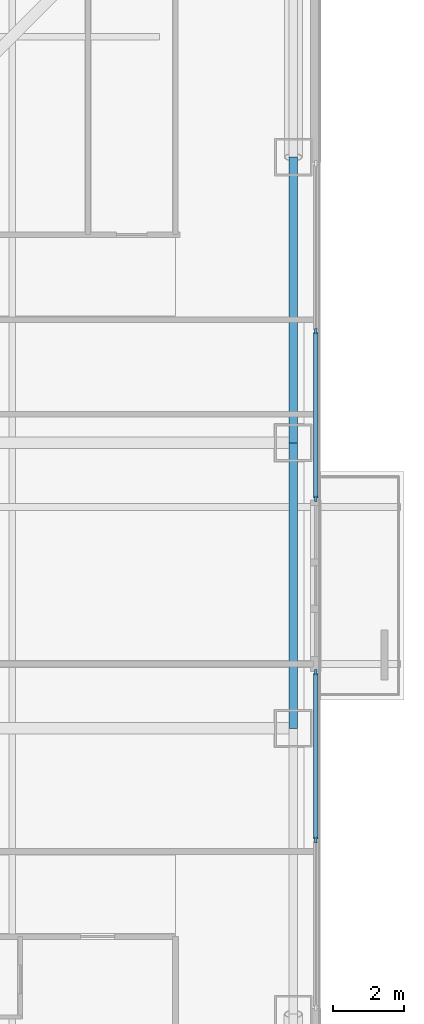
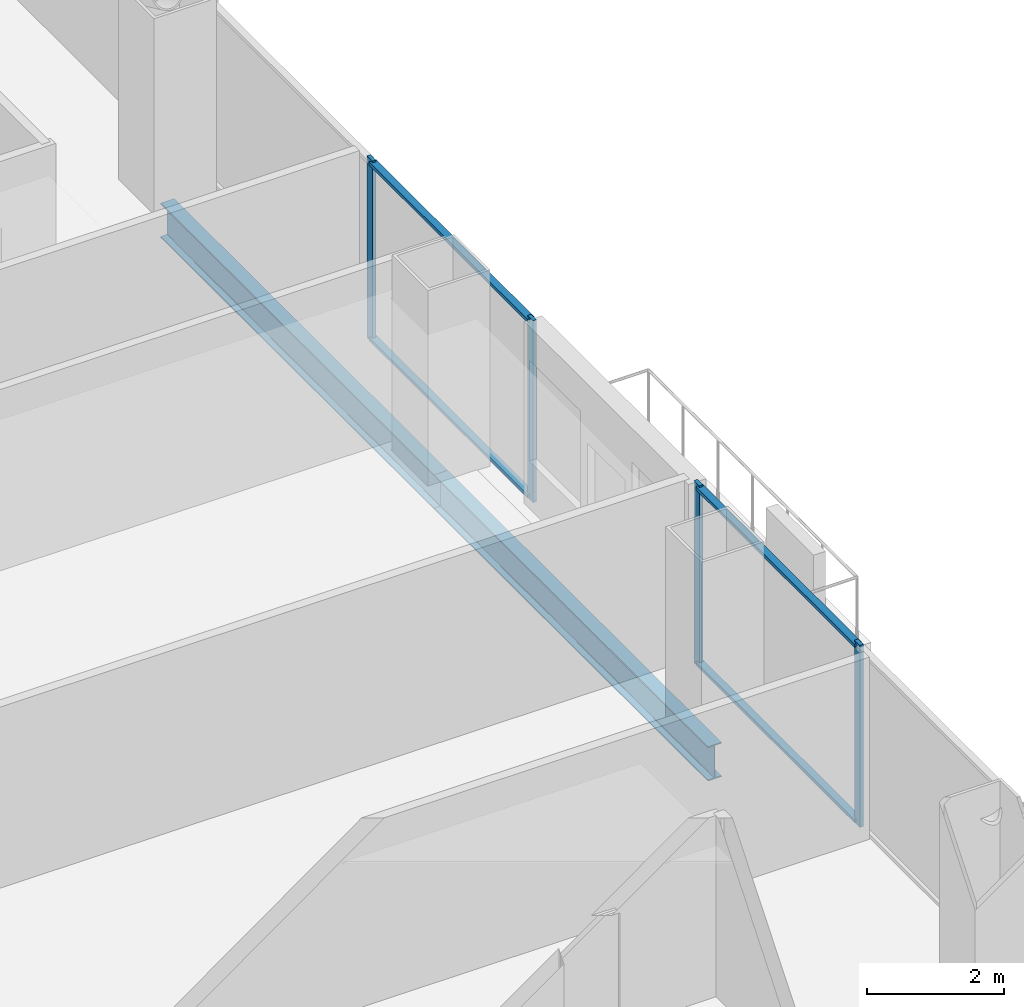
# One storey, part 10 of 20: 8 members, 2 beams, 2 elements without a shape of their own.
"""IFC4 building model written with IfcOpenShell, lengths in metres."""

import ifcopenshell
import ifcopenshell.guid

model = None  # the IFC model being written
_history = None  # IfcOwnerHistory: only IFC2X3 demands one
_inside = {}  # id of a spatial element -> (the spatial element, [elements in it])
_under = {}  # id of a project, library or spatial element -> (it, [spatial elements below it])
_declared = {}  # id of a project -> (the project, [libraries it declares])
_typed = {}  # id of a type object -> (the type object, [elements of that type])
_made_of = {}  # id of a material, layer set ... -> (it, [elements and type objects made of it])


def new_model(schema):
    """Start an empty IFC model of exactly this schema.

    Asked for "IFC4X3", IfcOpenShell would pick the latest addendum, in which some entities
    have other attributes; the version numbers below select the first issue.
    IFC2X3 requires an IfcOwnerHistory on every rooted entity: one is made here for all.
    """
    global model, _history
    if schema == "IFC4X3":
        model = ifcopenshell.file(schema_version=(4, 3, 0, 0))
    else:
        model = ifcopenshell.file(schema=schema)
    _inside.clear()
    _under.clear()
    _declared.clear()
    _typed.clear()
    _made_of.clear()
    _history = None
    if model.schema == "IFC2X3":
        org = make("IfcOrganization", Name="unknown")
        user = make(
            "IfcPersonAndOrganization",
            ThePerson=make("IfcPerson", FamilyName="unknown"),
            TheOrganization=org,
        )
        app = make(
            "IfcApplication",
            ApplicationDeveloper=org,
            Version="unknown",
            ApplicationFullName="unknown",
            ApplicationIdentifier="unknown",
        )
        _history = make(
            "IfcOwnerHistory",
            OwningUser=user,
            OwningApplication=app,
            ChangeAction="ADDED",
            CreationDate=0,
        )
    return model


def make(cls, **values):
    """One entity of the class cls with the attributes given. An attribute that is None is left unset."""
    return model.create_entity(
        cls, **{name: value for name, value in values.items() if value is not None}
    )


def rooted(cls, **values):
    """An entity with a GlobalId (a new one), such as an element, a storey or a relation."""
    return make(cls, GlobalId=ifcopenshell.guid.new(), OwnerHistory=_history, **values)


def si_unit(unit_type, name, prefix=None):
    """IfcSIUnit, for example si_unit("LENGTHUNIT", "METRE", prefix="MILLI")."""
    return make("IfcSIUnit", UnitType=unit_type, Prefix=prefix, Name=name)


def assignment(units):
    """IfcUnitAssignment: the units of a project."""
    return None if units is None else make("IfcUnitAssignment", Units=units)


def point(xyz):
    """IfcCartesianPoint."""
    return None if xyz is None else make("IfcCartesianPoint", Coordinates=xyz)


def direction(xyz):
    """IfcDirection."""
    return None if xyz is None else make("IfcDirection", DirectionRatios=xyz)


def frame(location, z_axis=None, x_axis=None):
    """IfcAxis2Placement3D, a coordinate frame: its origin and axes. An axis left out is left unset."""
    return make(
        "IfcAxis2Placement3D",
        Location=point(location),
        Axis=direction(z_axis),
        RefDirection=direction(x_axis),
    )


def frame_2d(location, x_axis=None):
    """IfcAxis2Placement2D, a coordinate frame in the plane: its origin and x axis."""
    return make(
        "IfcAxis2Placement2D", Location=point(location), RefDirection=direction(x_axis)
    )


def origin():
    """The frame at (0, 0, 0) with its axes left unset."""
    return frame((0.0, 0.0, 0.0))


def origin_2d():
    """The frame at (0, 0) in the plane with its x axis left unset."""
    return frame_2d((0.0, 0.0))


def place(relative_to, where):
    """IfcLocalPlacement: puts the frame where relative to a parent placement (None: the world)."""
    return make(
        "IfcLocalPlacement", PlacementRelTo=relative_to, RelativePlacement=where
    )


def context(
    kind, dimensions, precision=None, world=None, true_north=None, identifier=None
):
    """IfcGeometricRepresentationContext, for example the 3D "Model" context."""
    return make(
        "IfcGeometricRepresentationContext",
        ContextIdentifier=identifier,
        ContextType=kind,
        CoordinateSpaceDimension=dimensions,
        Precision=precision,
        WorldCoordinateSystem=world,
        TrueNorth=true_north,
    )


def subcontext(parent, identifier, kind, view, scale=None):
    """IfcGeometricRepresentationSubContext, for example "Body" below "Model"."""
    return make(
        "IfcGeometricRepresentationSubContext",
        ContextIdentifier=identifier,
        ContextType=kind,
        ParentContext=parent,
        TargetScale=scale,
        TargetView=view,
    )


def project(units=None, contexts=None):
    """IfcProject with its units and contexts."""
    return rooted(
        "IfcProject",
        Name="project",
        RepresentationContexts=contexts,
        UnitsInContext=assignment(units),
    )


def spatial(cls, under=None, at=None, **own):
    """A site, building, storey or space (cls), placed at a placement, below another one or the project."""
    s = rooted(cls, ObjectPlacement=at, **own)
    if under is not None:
        _under.setdefault(under.id(), (under, []))[1].append(s)
    return s


def profile(cls, at=None, kind="AREA", **sizes):
    """A parametric profile (cls). Its sizes go by their IFC names, for example OverallWidth=200.0."""
    return make(cls, ProfileType=kind, Position=at, **sizes)


def rectangle(**sizes):
    """IfcRectangleProfileDef."""
    return profile("IfcRectangleProfileDef", **sizes)


def i_section(**sizes):
    """IfcIShapeProfileDef."""
    return profile("IfcIShapeProfileDef", **sizes)


def extrude(swept, where, along, depth):
    """IfcExtrudedAreaSolid: the profile swept, set in the frame where, extruded along a direction by depth."""
    return make(
        "IfcExtrudedAreaSolid",
        SweptArea=swept,
        Position=where,
        ExtrudedDirection=direction(along),
        Depth=depth,
    )


def shape(context_of_items, identifier, shape_type, items):
    """IfcShapeRepresentation: the items that make up one representation, for example the "Body"."""
    return make(
        "IfcShapeRepresentation",
        ContextOfItems=context_of_items,
        RepresentationIdentifier=identifier,
        RepresentationType=shape_type,
        Items=items,
    )


def material(Name=None, Category=None):
    """IfcMaterial."""
    return make("IfcMaterial", Name=Name, Category=Category)


def layer(
    of_material, thickness, ventilated=None, Name=None, Category=None, Priority=None
):
    """IfcMaterialLayer: one layer of a wall or slab, of a material (None: an air gap)."""
    return make(
        "IfcMaterialLayer",
        Material=of_material,
        LayerThickness=thickness,
        IsVentilated=ventilated,
        Name=Name,
        Category=Category,
        Priority=Priority,
    )


def layer_set(layers, Name=None):
    """IfcMaterialLayerSet."""
    return make("IfcMaterialLayerSet", MaterialLayers=layers, LayerSetName=Name)


def material_profile(
    of_material, cross_section, Name=None, Category=None, Priority=None
):
    """IfcMaterialProfile: a cross section and its material."""
    return make(
        "IfcMaterialProfile",
        Name=Name,
        Material=of_material,
        Profile=cross_section,
        Priority=Priority,
        Category=Category,
    )


def profile_set(profiles, Name=None, composite=None):
    """IfcMaterialProfileSet."""
    return make(
        "IfcMaterialProfileSet",
        Name=Name,
        MaterialProfiles=profiles,
        CompositeProfile=composite,
    )


def made_of(thing, what):
    """Note that an element or type object is made of a material, layer set ...; save() writes the relation."""
    if what is not None:
        _made_of.setdefault(what.id(), (what, []))[1].append(thing)
    return thing


def type_object(cls, material=None, **own):
    """A type object (cls), such as IfcWallType, which elements share."""
    return made_of(rooted(cls, **own), material)


def element(
    cls,
    number,
    at=None,
    inside=None,
    cuts=None,
    type_object=None,
    material=None,
    context=None,
    identifier="Body",
    shape_type=None,
    held_by="IfcProductDefinitionShape",
    body=None,
    shapes=None,
    **own,
):
    """One element of the class cls, such as IfcWall. Its Tag is "e" and its number.

    at: its placement. inside: the storey or other place that contains it. cuts: it is an
    opening in that element (IfcRelVoidsElement). A single representation is given by context,
    identifier, shape_type and body (its items); several are given by shapes. held_by: the class
    of the entity that holds the representations. save() writes the other relations.
    """
    e = rooted(cls, Tag="e%d" % number, ObjectPlacement=at, **own)
    if body is not None:
        shapes = [shape(context, identifier, shape_type, body)]
    if shapes is not None:
        e.Representation = make(held_by, Representations=shapes)
    if inside is not None:
        _inside.setdefault(inside.id(), (inside, []))[1].append(e)
    if cuts is not None:
        rooted(
            "IfcRelVoidsElement", RelatingBuildingElement=cuts, RelatedOpeningElement=e
        )
    if type_object is not None:
        _typed.setdefault(type_object.id(), (type_object, []))[1].append(e)
    return made_of(e, material)


def aggregate(whole, parts):
    """IfcRelAggregates: a whole, such as a stair, and the parts it consists of."""
    return rooted("IfcRelAggregates", RelatingObject=whole, RelatedObjects=parts)


def save(model, path):
    """Write the relations noted so far, then the file.

    IfcRelAggregates (storeys below a building ...), IfcRelContainedInSpatialStructure (elements
    in a storey), IfcRelDefinesByType, IfcRelAssociatesMaterial and IfcRelDeclares: one each for
    every whole, place, type object, material and project.
    """
    for whole, parts in _under.values():
        aggregate(whole, parts)
    for where, things in _inside.values():
        rooted(
            "IfcRelContainedInSpatialStructure",
            RelatedElements=things,
            RelatingStructure=where,
        )
    for kind, things in _typed.values():
        rooted("IfcRelDefinesByType", RelatedObjects=things, RelatingType=kind)
    for what, things in _made_of.values():
        rooted("IfcRelAssociatesMaterial", RelatedObjects=things, RelatingMaterial=what)
    for by, libraries in _declared.values():
        rooted("IfcRelDeclares", RelatingContext=by, RelatedDefinitions=libraries)
    model.write(path)


model = new_model("IFC4")

# Units and contexts
model_context = context("Model", 3, precision=1e-05, world=origin(), true_north=direction((0.0, 1.0)))
body_context = subcontext(model_context, "Body", "Model", "MODEL_VIEW")
ifc_project = project(units=[si_unit("LENGTHUNIT", "METRE"), si_unit("AREAUNIT", "SQUARE_METRE"), si_unit("VOLUMEUNIT", "CUBIC_METRE"), si_unit("PLANEANGLEUNIT", "RADIAN"), si_unit("MASSUNIT", "GRAM", prefix="KILO")], contexts=[model_context])

# Site, building, storey
site_placement = place(None, origin())
site = spatial("IfcSite", under=ifc_project, at=site_placement, CompositionType="ELEMENT")
building_placement = place(site_placement, origin())
building = spatial("IfcBuilding", under=site, at=building_placement, Name="Trevonay Congress Spire", CompositionType="ELEMENT")
storey_placement = place(building_placement, frame((0.0, 0.0, 76.0)))
storey = spatial("IfcBuildingStorey", under=building, at=storey_placement, Name="L19", CompositionType="ELEMENT", Elevation=76.0)

# Beams
ifc_material_1 = material(Name="Steel ASTM A572 Grade 50", Category="steel")
ifc_material_profile_1 = material_profile(ifc_material_1, i_section(OverallWidth=0.22998046875, OverallDepth=0.616943359375, WebThickness=0.01318359375, FlangeThickness=0.022216796875, FilletRadius=0.01611328125, at=origin_2d()), Name="W610x140")
ifc_profile_set_1 = profile_set([ifc_material_profile_1], Name="Steel ASTM A572 Grade 50")
beam_type = type_object("IfcBeamType", Name="BM-RING-W610X140", PredefinedType="BEAM", material=ifc_profile_set_1)
for number, where, z_axis, x_axis, name in (
    (1, (23.25, -4.0, -0.55859375), (0.0, 1.0, 0.0), (-1.0, 0.0, 0.0), "L19 structural beam BM-L19-PE3"),
    (2, (23.25, 4.0, -0.55859375), (0.0, 1.0, 0.0), (-1.0, 0.0, 0.0), "L19 structural beam BM-L19-PE4"),
):
    element("IfcBeam", number, at=place(storey_placement, frame(where, z_axis=z_axis, x_axis=x_axis)), inside=storey, type_object=beam_type, Name=name, PredefinedType="BEAM", context=body_context, shape_type="SweptSolid", body=[
        extrude(i_section(OverallWidth=0.22998046875, OverallDepth=0.616943359375, WebThickness=0.01318359375, FlangeThickness=0.022216796875, FilletRadius=0.01611328125, at=origin_2d()), origin(), (0.0, 0.0, 1.0), 8.0),
    ])

# Curtain wall, members
ifc_material_2 = material(Name="Pale Anodised Aluminium EN AW-6063-T6", Category="aluminium")
ifc_layer = layer(ifc_material_2, 0.179931640625, Name="Pale Anodised Aluminium EN AW-6063-T6")
ifc_layer_set = layer_set([ifc_layer], Name="Pale Anodised Aluminium EN AW-6063-T6")
curtain_wall_type = type_object("IfcCurtainWallType", Name="CW-SYS02-HOTEL-PALE-METAL", PredefinedType="NOTDEFINED", material=ifc_layer_set)
curtain_wall_1_placement = place(storey_placement, origin())
curtain_wall_1 = element("IfcCurtainWall", 3, at=curtain_wall_1_placement, inside=storey, type_object=curtain_wall_type, Name="L19 EA unitised curtain wall", PredefinedType="NOTDEFINED")
ifc_material_profile_2 = material_profile(ifc_material_2, rectangle(XDim=0.06005859375, YDim=0.159912109375, at=origin_2d()), Name="CW-MULLION-160-ALUMINIUM")
ifc_profile_set_2 = profile_set([ifc_material_profile_2], Name="Pale Anodised Aluminium EN AW-6063-T6")
member_type_1 = type_object("IfcMemberType", Name="CW-MULLION-160-ALUMINIUM", PredefinedType="MULLION", material=ifc_profile_set_2)
member_1_placement = place(storey_placement, frame((23.8798828125, -7.125, 0.0), z_axis=(0.0, 0.0, 1.0), x_axis=(-1.0, 0.0, 0.0)))
member_1 = element("IfcMember", 4, at=member_1_placement, type_object=member_type_1, Name="CW02 mullion 2", PredefinedType="MULLION", context=body_context, shape_type="SweptSolid", body=[
    extrude(rectangle(XDim=0.06005859375, YDim=0.159912109375, at=origin_2d()), origin(), (0.0, 0.0, 1.0), 3.25),
])
member_2_placement = place(storey_placement, frame((23.8798828125, -2.429931640625, 0.0), z_axis=(0.0, 0.0, 1.0), x_axis=(-1.0, 0.0, 0.0)))
member_2 = element("IfcMember", 5, at=member_2_placement, type_object=member_type_1, Name="CW02 mullion 3", PredefinedType="MULLION", context=body_context, shape_type="SweptSolid", body=[
    extrude(rectangle(XDim=0.06005859375, YDim=0.159912109375, at=origin_2d()), origin(), (0.0, 0.0, 1.0), 3.25),
])

curtain_wall_2_placement = place(storey_placement, origin())
curtain_wall_2 = element("IfcCurtainWall", 6, at=curtain_wall_2_placement, inside=storey, type_object=curtain_wall_type, Name="L19 EB unitised curtain wall", PredefinedType="NOTDEFINED")
member_3_placement = place(storey_placement, frame((23.8798828125, 2.429931640625, 0.0), z_axis=(0.0, 0.0, 1.0), x_axis=(-1.0, 0.0, 0.0)))
member_3 = element("IfcMember", 7, at=member_3_placement, type_object=member_type_1, Name="CW02 mullion 1", PredefinedType="MULLION", context=body_context, shape_type="SweptSolid", body=[
    extrude(rectangle(XDim=0.06005859375, YDim=0.159912109375, at=origin_2d()), origin(), (0.0, 0.0, 1.0), 3.25),
])
member_4_placement = place(storey_placement, frame((23.8798828125, 7.125, 0.0), z_axis=(0.0, 0.0, 1.0), x_axis=(-1.0, 0.0, 0.0)))
member_4 = element("IfcMember", 8, at=member_4_placement, type_object=member_type_1, Name="CW02 mullion 2", PredefinedType="MULLION", context=body_context, shape_type="SweptSolid", body=[
    extrude(rectangle(XDim=0.06005859375, YDim=0.159912109375, at=origin_2d()), origin(), (0.0, 0.0, 1.0), 3.25),
])

# Member
ifc_material_profile_3 = material_profile(ifc_material_2, rectangle(XDim=0.1201171875, YDim=0.06005859375, at=origin_2d()), Name="CW-TRANSOM-120-ALUMINIUM")
ifc_profile_set_3 = profile_set([ifc_material_profile_3], Name="Pale Anodised Aluminium EN AW-6063-T6")
member_type_2 = type_object("IfcMemberType", Name="CW-TRANSOM-120-ALUMINIUM", PredefinedType="USERDEFINED", material=ifc_profile_set_3)
member_5_placement = place(storey_placement, frame((23.8798828125, -7.094970703125, 0.06005859375), z_axis=(0.0, 1.0, 0.0), x_axis=(-1.0, 0.0, 0.0)))
member_5 = element("IfcMember", 9, at=member_5_placement, type_object=member_type_2, Name="CW02 transom 2.1", ObjectType="TRANSOM", PredefinedType="USERDEFINED", context=body_context, shape_type="SweptSolid", body=[
    extrude(rectangle(XDim=0.1201171875, YDim=0.06005859375, at=origin_2d()), origin(), (0.0, 0.0, 1.0), 4.635009765625),
])

member_6_placement = place(storey_placement, frame((23.8798828125, -7.094970703125, 3.18994140625), z_axis=(0.0, 1.0, 0.0), x_axis=(-1.0, 0.0, 0.0)))
member_6 = element("IfcMember", 10, at=member_6_placement, type_object=member_type_2, Name="CW02 transom 2.2", ObjectType="TRANSOM", PredefinedType="USERDEFINED", context=body_context, shape_type="SweptSolid", body=[
    extrude(rectangle(XDim=0.1201171875, YDim=0.06005859375, at=origin_2d()), origin(), (0.0, 0.0, 1.0), 4.635009765625),
])

aggregate(curtain_wall_1, [member_1, member_2, member_5, member_6])

member_7_placement = place(storey_placement, frame((23.8798828125, 2.4599609375, 0.06005859375), z_axis=(0.0, 1.0, 0.0), x_axis=(-1.0, 0.0, 0.0)))
member_7 = element("IfcMember", 11, at=member_7_placement, type_object=member_type_2, Name="CW02 transom 1.1", ObjectType="TRANSOM", PredefinedType="USERDEFINED", context=body_context, shape_type="SweptSolid", body=[
    extrude(rectangle(XDim=0.1201171875, YDim=0.06005859375, at=origin_2d()), origin(), (0.0, 0.0, 1.0), 4.635009765625),
])

member_8_placement = place(storey_placement, frame((23.8798828125, 2.4599609375, 3.18994140625), z_axis=(0.0, 1.0, 0.0), x_axis=(-1.0, 0.0, 0.0)))
member_8 = element("IfcMember", 12, at=member_8_placement, type_object=member_type_2, Name="CW02 transom 1.2", ObjectType="TRANSOM", PredefinedType="USERDEFINED", context=body_context, shape_type="SweptSolid", body=[
    extrude(rectangle(XDim=0.1201171875, YDim=0.06005859375, at=origin_2d()), origin(), (0.0, 0.0, 1.0), 4.635009765625),
])

aggregate(curtain_wall_2, [member_3, member_4, member_7, member_8])

save(model, "model.ifc")
